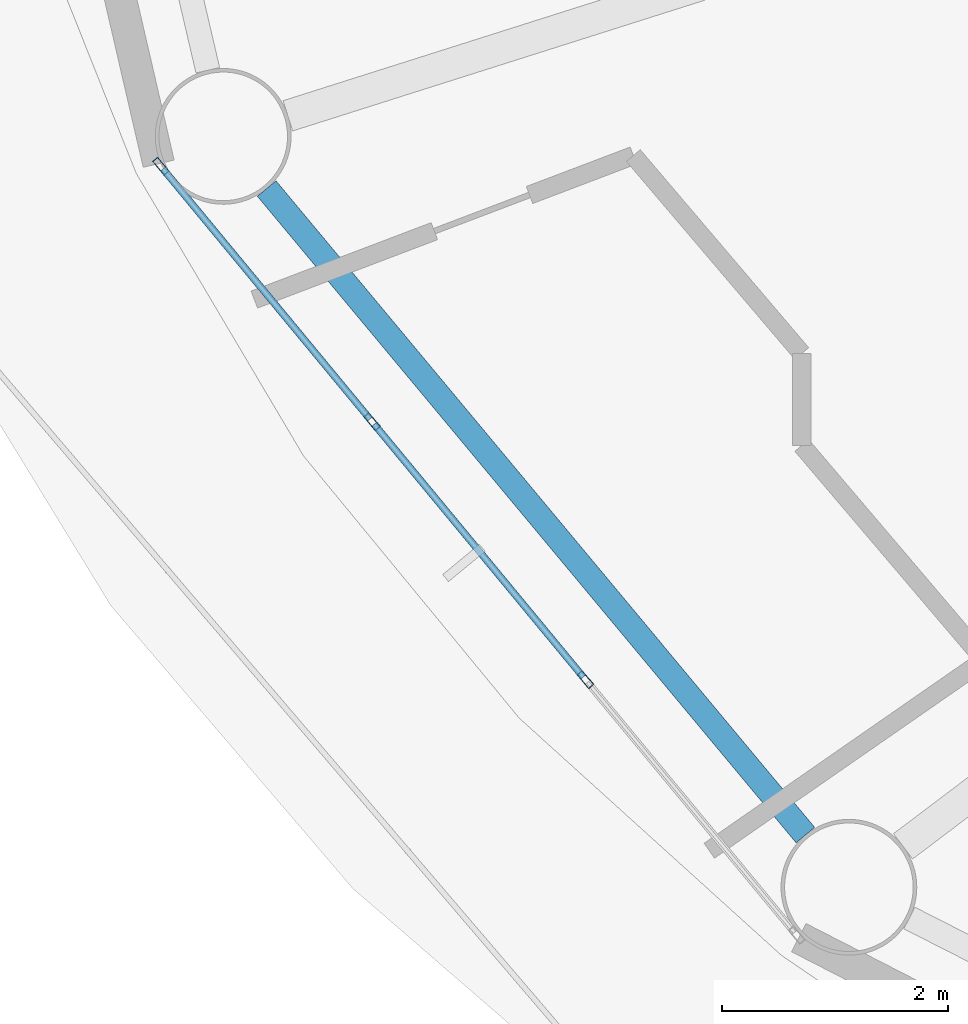
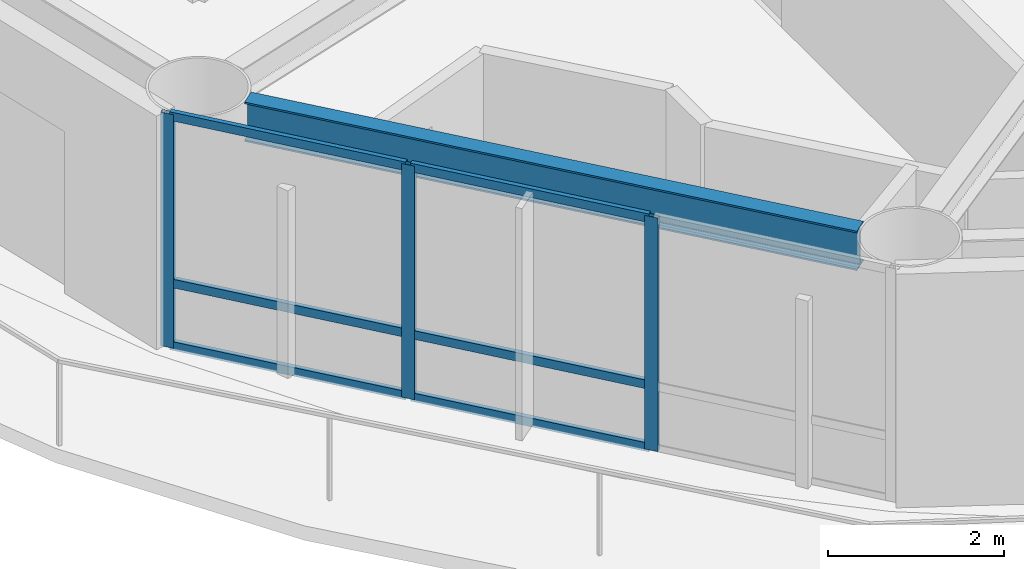
# One storey, part 3 of 28: 9 members, 1 beam, 1 element without a shape of its own.
"""IFC4 building model written with IfcOpenShell, lengths in metres."""

from ifc_helpers import new_model, si_unit, direction, frame, origin, origin_2d, place, context, subcontext, project, spatial, hollow_rectangle, i_section, extrude, material, layer, layer_set, material_profile, profile_set, type_object, element, aggregate, save


model = new_model("IFC4")

# Units and contexts
model_context = context("Model", 3, precision=1e-05, world=origin(), true_north=direction((0.0, 1.0)))
body_context = subcontext(model_context, "Body", "Model", "MODEL_VIEW")
ifc_project = project(units=[si_unit("LENGTHUNIT", "METRE"), si_unit("AREAUNIT", "SQUARE_METRE"), si_unit("VOLUMEUNIT", "CUBIC_METRE"), si_unit("PLANEANGLEUNIT", "RADIAN"), si_unit("MASSUNIT", "GRAM", prefix="KILO")], contexts=[model_context])

# Site, building, storey
site_placement = place(None, origin())
site = spatial("IfcSite", under=ifc_project, at=site_placement, CompositionType="ELEMENT")
building_placement = place(site_placement, origin())
building = spatial("IfcBuilding", under=site, at=building_placement, Name="Sarneth Arch Tower", CompositionType="ELEMENT")
storey_placement = place(building_placement, frame((0.0, 0.0, 197.39990234375)))
storey = spatial("IfcBuildingStorey", under=building, at=storey_placement, Name="L50", CompositionType="ELEMENT", Elevation=197.39990234375)

# Beam
ifc_material_1 = material(Name="Steel S355", Category="steel")
ifc_material_profile_1 = material_profile(ifc_material_1, i_section(OverallWidth=0.214111328125, OverallDepth=0.549072265625, WebThickness=0.0146484375, FlangeThickness=0.023681640625, FilletRadius=0.01806640625, at=origin_2d()), Name="W530x138")
ifc_profile_set_1 = profile_set([ifc_material_profile_1], Name="Steel S355")
beam_type = type_object("IfcBeamType", Name="BM-RAD-530A", PredefinedType="BEAM", material=ifc_profile_set_1)
beam_placement = place(storey_placement, frame((23.721923828125, 33.713134765625, 2.9755859375), z_axis=(0.640161793626, -0.768240117399, 0.0), x_axis=(0.768240117399, 0.640161793626, 0.0)))
element("IfcBeam", 1, at=beam_placement, inside=storey, type_object=beam_type, Name="L50 Perimeter spandrel beam 10", PredefinedType="BEAM", context=body_context, shape_type="SweptSolid", body=[
    extrude(i_section(OverallWidth=0.214111328125, OverallDepth=0.549072265625, WebThickness=0.0146484375, FlangeThickness=0.023681640625, FilletRadius=0.01806640625, at=origin_2d()), origin(), (0.0, 0.0, 1.0), 7.43603515625),
])

# Curtain wall, members
ifc_material_2 = material(Name="Anodised aluminium Type AA25 and solar-control low-e laminated IGU", Category="aluminium")
ifc_layer = layer(ifc_material_2, 0.169921875)
ifc_layer_set = layer_set([ifc_layer], Name="Anodised aluminium Type AA25 and solar-control low-e laminated IGU")
curtain_wall_type = type_object("IfcCurtainWallType", Name="CW-RES-MID", PredefinedType="NOTDEFINED", material=ifc_layer_set)
curtain_wall_placement = place(storey_placement, origin())
curtain_wall = element("IfcCurtainWall", 2, at=curtain_wall_placement, inside=storey, type_object=curtain_wall_type, Name="L50 Unitised curtain wall facet 10", PredefinedType="NOTDEFINED")
ifc_material_3 = material(Name="Anodised Aluminium 6063-T6", Category="aluminium")
ifc_material_profile_2 = material_profile(ifc_material_3, hollow_rectangle(XDim=0.06005859375, YDim=0.159912109375, WallThickness=0.00390625, at=origin_2d()), Name="AL-MULL-160x60x4")
ifc_profile_set_2 = profile_set([ifc_material_profile_2], Name="Anodised Aluminium 6063-T6")
member_type_1 = type_object("IfcMemberType", Name="CW-MULLION", PredefinedType="MULLION", material=ifc_profile_set_2)
member_1_placement = place(storey_placement, frame((22.786865234375, 33.909912109375, 0.0), z_axis=(0.0, 0.0, 1.0), x_axis=(0.770590741276, 0.637330298558, 0.0)))
member_1 = element("IfcMember", 3, at=member_1_placement, type_object=member_type_1, Name="CW-SYS-5 mullion 1", PredefinedType="MULLION", context=body_context, shape_type="SweptSolid", body=[
    extrude(hollow_rectangle(XDim=0.06005859375, YDim=0.159912109375, WallThickness=0.00390625, at=origin_2d()), origin(), (0.0, 0.0, 1.0), 3.25),
])
member_2_placement = place(storey_placement, frame((24.653076171875, 31.6533203125, 0.0), z_axis=(0.0, 0.0, 1.0), x_axis=(0.770590741276, 0.637330298558, 0.0)))
member_2 = element("IfcMember", 4, at=member_2_placement, type_object=member_type_1, Name="CW-SYS-5 mullion 2", PredefinedType="MULLION", context=body_context, shape_type="SweptSolid", body=[
    extrude(hollow_rectangle(XDim=0.06005859375, YDim=0.159912109375, WallThickness=0.00390625, at=origin_2d()), origin(), (0.0, 0.0, 1.0), 3.25),
])
member_3_placement = place(storey_placement, frame((26.53857421875, 29.373779296875, 0.0), z_axis=(0.0, 0.0, 1.0), x_axis=(0.770590741276, 0.637330298558, 0.0)))
member_3 = element("IfcMember", 5, at=member_3_placement, type_object=member_type_1, Name="CW-SYS-5 mullion 3", PredefinedType="MULLION", context=body_context, shape_type="SweptSolid", body=[
    extrude(hollow_rectangle(XDim=0.06005859375, YDim=0.159912109375, WallThickness=0.00390625, at=origin_2d()), origin(), (0.0, 0.0, 1.0), 3.25),
])
ifc_material_4 = material(Name="Anodised Aluminium 6063-T6", Category="aluminium")
ifc_material_profile_3 = material_profile(ifc_material_4, hollow_rectangle(XDim=0.06005859375, YDim=0.1201171875, WallThickness=0.00390625, at=origin_2d()), Name="AL-TRAN-120x60x4")
ifc_profile_set_3 = profile_set([ifc_material_profile_3], Name="Anodised Aluminium 6063-T6")
member_type_2 = type_object("IfcMemberType", Name="CW-TRANSOM", PredefinedType="USERDEFINED", material=ifc_profile_set_3)
member_4_placement = place(storey_placement, frame((22.805908203125, 33.88671875, 0.030029296875), z_axis=(0.637358651504, -0.770567290607, 0.0), x_axis=(0.770567290607, 0.637358651504, 0.0)))
member_4 = element("IfcMember", 6, at=member_4_placement, type_object=member_type_2, Name="CW-SYS-5 transom 1.1", ObjectType="TRANSOM", PredefinedType="USERDEFINED", context=body_context, shape_type="SweptSolid", body=[
    extrude(hollow_rectangle(XDim=0.06005859375, YDim=0.1201171875, WallThickness=0.00390625, at=origin_2d()), origin(), (0.0, 0.0, 1.0), 2.8681640625),
])
member_5_placement = place(storey_placement, frame((22.805908203125, 33.88671875, 0.900146484375), z_axis=(0.637358651504, -0.770567290607, 0.0), x_axis=(0.770567290607, 0.637358651504, 0.0)))
member_5 = element("IfcMember", 7, at=member_5_placement, type_object=member_type_2, Name="CW-SYS-5 transom 1.2", ObjectType="TRANSOM", PredefinedType="USERDEFINED", context=body_context, shape_type="SweptSolid", body=[
    extrude(hollow_rectangle(XDim=0.06005859375, YDim=0.1201171875, WallThickness=0.00390625, at=origin_2d()), origin(), (0.0, 0.0, 1.0), 2.8681640625),
])
member_6_placement = place(storey_placement, frame((22.805908203125, 33.88671875, 3.22021484375), z_axis=(0.637358651504, -0.770567290607, 0.0), x_axis=(0.770567290607, 0.637358651504, 0.0)))
member_6 = element("IfcMember", 8, at=member_6_placement, type_object=member_type_2, Name="CW-SYS-5 transom 1.3", ObjectType="TRANSOM", PredefinedType="USERDEFINED", context=body_context, shape_type="SweptSolid", body=[
    extrude(hollow_rectangle(XDim=0.06005859375, YDim=0.1201171875, WallThickness=0.00390625, at=origin_2d()), origin(), (0.0, 0.0, 1.0), 2.8681640625),
])
member_7_placement = place(storey_placement, frame((24.672119140625, 31.63037109375, 0.030029296875), z_axis=(0.637329777791, -0.770591171985, 0.0), x_axis=(0.770591171985, 0.637329777791, 0.0)))
member_7 = element("IfcMember", 9, at=member_7_placement, type_object=member_type_2, Name="CW-SYS-5 transom 2.1", ObjectType="TRANSOM", PredefinedType="USERDEFINED", context=body_context, shape_type="SweptSolid", body=[
    extrude(hollow_rectangle(XDim=0.06005859375, YDim=0.1201171875, WallThickness=0.00390625, at=origin_2d()), origin(), (0.0, 0.0, 1.0), 2.898193359375),
])
member_8_placement = place(storey_placement, frame((24.672119140625, 31.63037109375, 0.900146484375), z_axis=(0.637329777791, -0.770591171985, 0.0), x_axis=(0.770591171985, 0.637329777791, 0.0)))
member_8 = element("IfcMember", 10, at=member_8_placement, type_object=member_type_2, Name="CW-SYS-5 transom 2.2", ObjectType="TRANSOM", PredefinedType="USERDEFINED", context=body_context, shape_type="SweptSolid", body=[
    extrude(hollow_rectangle(XDim=0.06005859375, YDim=0.1201171875, WallThickness=0.00390625, at=origin_2d()), origin(), (0.0, 0.0, 1.0), 2.898193359375),
])
member_9_placement = place(storey_placement, frame((24.672119140625, 31.63037109375, 3.22021484375), z_axis=(0.637329777791, -0.770591171985, 0.0), x_axis=(0.770591171985, 0.637329777791, 0.0)))
member_9 = element("IfcMember", 11, at=member_9_placement, type_object=member_type_2, Name="CW-SYS-5 transom 2.3", ObjectType="TRANSOM", PredefinedType="USERDEFINED", context=body_context, shape_type="SweptSolid", body=[
    extrude(hollow_rectangle(XDim=0.06005859375, YDim=0.1201171875, WallThickness=0.00390625, at=origin_2d()), origin(), (0.0, 0.0, 1.0), 2.898193359375),
])
aggregate(curtain_wall, [member_1, member_2, member_3, member_4, member_5, member_6, member_7, member_8, member_9])

save(model, "model.ifc")
